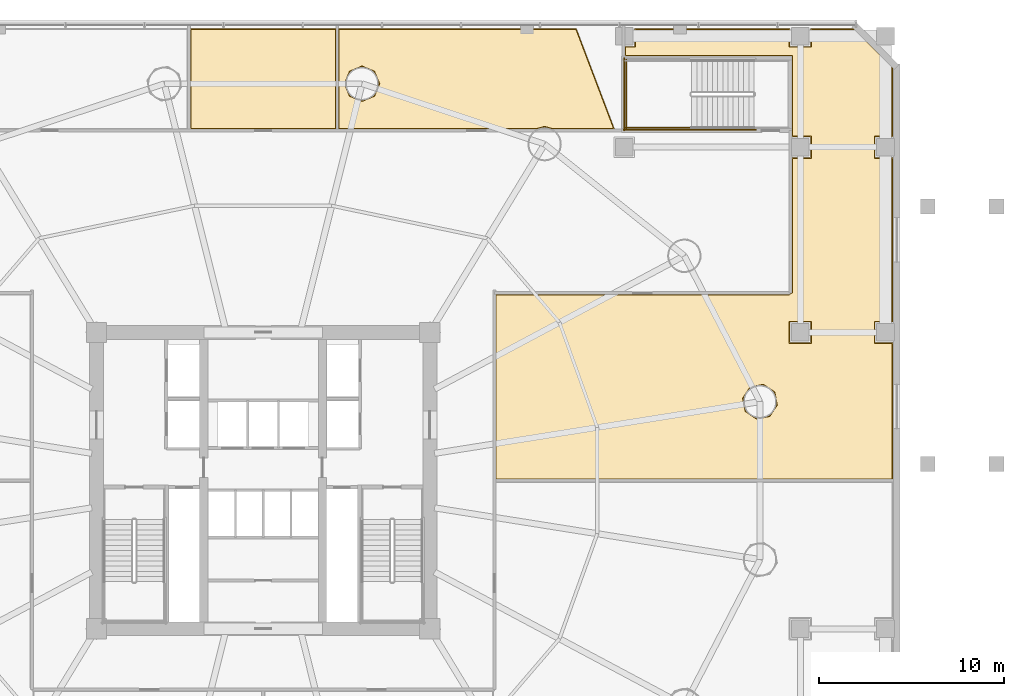
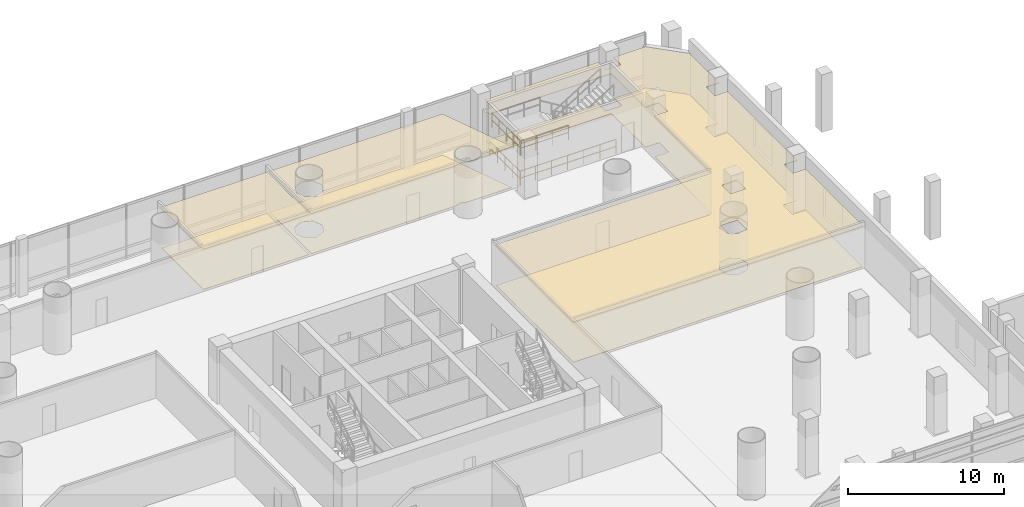
# One storey, part 32 of 36: 6 coverings, 4 railings.
"""IFC4 building model written with IfcOpenShell, lengths in metres."""

from ifc_helpers import new_model, si_unit, direction, frame, origin, origin_2d, place, context, subcontext, project, spatial, polyline, rectangle, outline, extrude, material, layer, layer_set, type_object, element, save


model = new_model("IFC4")

# Units and contexts
model_context = context("Model", 3, precision=1e-05, world=origin(), true_north=direction((-0.2419218956, 0.970295726276)))
body_context = subcontext(model_context, "Body", "Model", "MODEL_VIEW")
ifc_project = project(units=[si_unit("LENGTHUNIT", "METRE"), si_unit("AREAUNIT", "SQUARE_METRE"), si_unit("VOLUMEUNIT", "CUBIC_METRE"), si_unit("PLANEANGLEUNIT", "RADIAN"), si_unit("MASSUNIT", "GRAM", prefix="KILO")], contexts=[model_context])

# Site, building, storey
site_placement = place(None, origin())
site = spatial("IfcSite", under=ifc_project, at=site_placement, CompositionType="ELEMENT")
building_placement = place(site_placement, origin())
building = spatial("IfcBuilding", under=site, at=building_placement, Name="Cobrevalo Terracotta Tower", CompositionType="ELEMENT")
storey_placement = place(building_placement, frame((0.0, 0.0, 5.39990234375)))
storey = spatial("IfcBuildingStorey", under=building, at=storey_placement, Name="L01", CompositionType="ELEMENT", Elevation=5.39990234375)

# Coverings
ifc_material_1 = material(Name="Honed terracotta and granite tile", Category="masonry")
ifc_layer_1 = layer(ifc_material_1, 0.034912109375)
ifc_layer_set_1 = layer_set([ifc_layer_1], Name="Honed terracotta and granite tile")
covering_type_1 = type_object("IfcCoveringType", Name="Honed Terracotta & Granite Interior Flooring 35", PredefinedType="FLOORING", material=ifc_layer_set_1)
covering_1_placement = place(storey_placement, origin())
element("IfcCovering", 1, at=covering_1_placement, inside=storey, type_object=covering_type_1, Name="L01 Culinary Kitchen floor finish", PredefinedType="FLOORING", context=body_context, shape_type="SweptSolid", body=[
    extrude(outline(polyline([(50.580078125, 26.89990234375), (50.580078125, 36.820068359375), (66.40185546875, 36.820068359375), (66.572998046875, 36.947509765625), (66.578857421875, 44.199951171875), (67.60009765625, 44.199951171875), (67.60009765625, 45.39990234375), (66.579833984375, 45.39990234375), (66.570068359375, 49.739990234375), (57.550048828125, 49.739990234375), (57.550048828125, 50.199951171875), (58.10009765625, 50.199951171875), (58.10009765625, 51.159912109375), (66.39990234375, 51.159912109375), (66.39990234375, 50.199951171875), (67.60009765625, 50.199951171875), (67.60009765625, 51.159912109375), (69.921630859375, 51.159912109375), (71.9599609375, 49.121826171875), (71.9599609375, 45.39990234375), (71.0, 45.39990234375), (71.0, 44.199951171875), (71.9599609375, 44.199951171875), (71.9599609375, 35.39990234375), (71.0, 35.39990234375), (71.0, 34.199951171875), (71.9599609375, 34.199951171875), (71.9599609375, 26.89990234375), (50.580078125, 26.89990234375)]), holes=[polyline([(66.39990234375, 34.199951171875), (67.60009765625, 34.199951171875), (67.60009765625, 35.39990234375), (66.39990234375, 35.39990234375), (66.39990234375, 34.199951171875)]), polyline([(65.35791015625, 30.264404296875), (65.76611328125, 30.87548828125), (65.622802734375, 31.59619140625), (65.01171875, 32.00439453125), (64.291015625, 31.861083984375), (63.8828125, 31.25), (64.026123046875, 30.529296875), (64.63720703125, 30.12109375), (65.35791015625, 30.264404296875)])]), origin(), (0.0, 0.0, 1.0), 0.030029296875),
])
covering_2_placement = place(storey_placement, origin())
element("IfcCovering", 2, at=covering_2_placement, inside=storey, type_object=covering_type_1, Name="L01 Accessible Restroom WC floor finish", PredefinedType="FLOORING", context=body_context, shape_type="SweptSolid", body=[
    extrude(outline(polyline([(41.89990234375, 45.800048828125), (34.10009765625, 45.800048828125), (34.10009765625, 51.159912109375), (41.89990234375, 51.159912109375), (41.89990234375, 45.800048828125)])), origin(), (0.0, 0.0, 1.0), 0.030029296875),
])
covering_3_placement = place(storey_placement, origin())
element("IfcCovering", 3, at=covering_3_placement, inside=storey, type_object=covering_type_1, Name="L01 Podium Housekeeping Store floor finish", PredefinedType="FLOORING", context=body_context, shape_type="SweptSolid", body=[
    extrude(outline(polyline([(56.9208984375, 45.800048828125), (53.66455078125, 45.800048828125), (53.19482421875, 45.927734375), (52.725341796875, 45.800048828125), (42.10009765625, 45.800048828125), (42.10009765625, 51.159912109375), (54.88623046875, 51.159912109375), (56.9208984375, 45.800048828125)]), holes=[polyline([(44.0146484375, 47.55126953125), (44.2958984375, 48.230224609375), (44.0146484375, 48.908935546875), (43.335693359375, 49.190185546875), (42.65673828125, 48.908935546875), (42.375732421875, 48.230224609375), (42.65673828125, 47.55126953125), (43.335693359375, 47.27001953125), (44.0146484375, 47.55126953125)])]), origin(), (0.0, 0.0, 1.0), 0.030029296875),
])
ifc_material_2 = material(Name="Moisture-resistant mineral fibre ceiling", Category="gypsum")
ifc_layer_2 = layer(ifc_material_2, 0.0400390625)
ifc_layer_set_2 = layer_set([ifc_layer_2], Name="Moisture-resistant mineral fibre ceiling")
covering_type_2 = type_object("IfcCoveringType", Name="Moisture-Resistant Wet-Room Ceiling 40", PredefinedType="CEILING", material=ifc_layer_set_2)
covering_4_placement = place(storey_placement, frame((0.0, 0.0, 3.16015625)))
element("IfcCovering", 4, at=covering_4_placement, inside=storey, type_object=covering_type_2, Name="L01 Accessible Restroom WC acoustic ceiling", PredefinedType="CEILING", context=body_context, shape_type="SweptSolid", body=[
    extrude(outline(polyline([(41.945068359375, 45.7548828125), (34.054931640625, 45.7548828125), (34.054931640625, 51.205078125), (41.945068359375, 51.205078125), (41.945068359375, 45.7548828125)])), origin(), (0.0, 0.0, 1.0), 0.050048828125),
])
ifc_material_3 = material(Name="Acoustic perforated gypsum ceiling", Category="gypsum")
ifc_layer_3 = layer(ifc_material_3, 0.050048828125)
ifc_layer_set_3 = layer_set([ifc_layer_3], Name="Acoustic perforated gypsum ceiling")
covering_type_3 = type_object("IfcCoveringType", Name="Perforated Acoustic Gypsum Ceiling 50", PredefinedType="CEILING", material=ifc_layer_set_3)
covering_5_placement = place(storey_placement, frame((0.0, 0.0, 3.16015625)))
element("IfcCovering", 5, at=covering_5_placement, inside=storey, type_object=covering_type_3, Name="L01 Culinary Kitchen acoustic ceiling", PredefinedType="CEILING", context=body_context, shape_type="SweptSolid", body=[
    extrude(outline(polyline([(50.534912109375, 26.85498046875), (50.534912109375, 36.864990234375), (66.3974609375, 36.864990234375), (66.528076171875, 36.961181640625), (66.533935546875, 44.2451171875), (67.554931640625, 44.2451171875), (67.554931640625, 45.35498046875), (66.53466796875, 45.35498046875), (66.52490234375, 49.695068359375), (57.5048828125, 49.695068359375), (57.5048828125, 50.2451171875), (58.054931640625, 50.2451171875), (58.054931640625, 51.205078125), (66.445068359375, 51.205078125), (66.445068359375, 50.2451171875), (67.554931640625, 50.2451171875), (67.554931640625, 51.205078125), (69.9404296875, 51.205078125), (72.0048828125, 49.140380859375), (72.0048828125, 45.35498046875), (71.044921875, 45.35498046875), (71.044921875, 44.2451171875), (72.0048828125, 44.2451171875), (72.0048828125, 35.35498046875), (71.044921875, 35.35498046875), (71.044921875, 34.2451171875), (72.0048828125, 34.2451171875), (72.0048828125, 26.85498046875), (50.534912109375, 26.85498046875)]), holes=[polyline([(66.445068359375, 34.2451171875), (67.554931640625, 34.2451171875), (67.554931640625, 35.35498046875), (66.445068359375, 35.35498046875), (66.445068359375, 34.2451171875)]), polyline([(65.332763671875, 30.302001953125), (65.7216796875, 30.88427734375), (65.585205078125, 31.571044921875), (65.0029296875, 31.9599609375), (64.316162109375, 31.823486328125), (63.92724609375, 31.2412109375), (64.063720703125, 30.554443359375), (64.64599609375, 30.16552734375), (65.332763671875, 30.302001953125)])]), origin(), (0.0, 0.0, 1.0), 0.050048828125),
])
covering_6_placement = place(storey_placement, frame((0.0, 0.0, 3.16015625)))
element("IfcCovering", 6, at=covering_6_placement, inside=storey, type_object=covering_type_3, Name="L01 Podium Housekeeping Store acoustic ceiling", PredefinedType="CEILING", context=body_context, shape_type="SweptSolid", body=[
    extrude(outline(polyline([(56.986328125, 45.7548828125), (53.653076171875, 45.7548828125), (53.19482421875, 45.882568359375), (52.736572265625, 45.7548828125), (42.054931640625, 45.7548828125), (42.054931640625, 51.205078125), (54.917236328125, 51.205078125), (56.986328125, 45.7548828125)]), holes=[polyline([(43.982666015625, 47.583251953125), (44.25048828125, 48.230224609375), (43.982666015625, 48.877197265625), (43.335693359375, 49.14501953125), (42.688720703125, 48.877197265625), (42.4208984375, 48.230224609375), (42.688720703125, 47.583251953125), (43.335693359375, 47.315185546875), (43.982666015625, 47.583251953125)])]), origin(), (0.0, 0.0, 1.0), 0.050048828125),
])

# Railings
ifc_material_4 = material(Name="Painted galvanized steel", Category="steel")
railing_type = type_object("IfcRailingType", Name="Stair Well Guard Balustrade 1150", PredefinedType="GUARDRAIL", material=ifc_material_4)
railing_1_placement = place(storey_placement, frame((61.139892578125, 45.85009765625, 2.25)))
element("IfcRailing", 7, at=railing_1_placement, inside=storey, type_object=railing_type, Name="L01 ST-P2 stair guard 4", PredefinedType="GUARDRAIL", context=body_context, shape_type="SweptSolid", body=[
    extrude(rectangle(XDim=0.048095703125, YDim=0.048095703125, at=origin_2d()), frame((0.0, 0.0, 1.1259765625), z_axis=(-1.0, 0.0, 0.0), x_axis=(0.0, -1.0, 0.0)), (0.0, 0.0, 1.0), 3.58984375),
    extrude(rectangle(XDim=0.048095703125, YDim=0.048095703125, at=origin_2d()), frame((0.0, 0.0, 0.574951171875), z_axis=(-1.0, 0.0, 0.0), x_axis=(0.0, -1.0, 0.0)), (0.0, 0.0, 1.0), 3.58984375),
    extrude(rectangle(XDim=0.0419921875, YDim=0.0419921875, at=origin_2d()), origin(), (0.0, 0.0, 1.0), 1.101806640625),
    extrude(rectangle(XDim=0.0419921875, YDim=0.0419921875, at=origin_2d()), frame((-1.196533203125, 0.0, 0.0)), (0.0, 0.0, 1.0), 1.101806640625),
    extrude(rectangle(XDim=0.0419921875, YDim=0.0419921875, at=origin_2d()), frame((-2.393310546875, 0.0, 0.0)), (0.0, 0.0, 1.0), 1.101806640625),
    extrude(rectangle(XDim=0.0419921875, YDim=0.0419921875, at=origin_2d()), frame((-3.58984375, 0.0, 0.0)), (0.0, 0.0, 1.0), 1.101806640625),
])
railing_2_placement = place(storey_placement, frame((57.60009765625, 49.52001953125, 2.25)))
element("IfcRailing", 8, at=railing_2_placement, inside=storey, type_object=railing_type, Name="L01 ST-P2 stair guard 5", PredefinedType="GUARDRAIL", context=body_context, shape_type="SweptSolid", body=[
    extrude(rectangle(XDim=0.048095703125, YDim=0.048095703125, at=origin_2d()), frame((0.0, 0.0, 1.1259765625), z_axis=(0.0, -1.0, 0.0), x_axis=(1.0, 0.0, 0.0)), (0.0, 0.0, 1.0), 3.719970703125),
    extrude(rectangle(XDim=0.048095703125, YDim=0.048095703125, at=origin_2d()), frame((0.0, 0.0, 0.574951171875), z_axis=(0.0, -1.0, 0.0), x_axis=(1.0, 0.0, 0.0)), (0.0, 0.0, 1.0), 3.719970703125),
    extrude(rectangle(XDim=0.0419921875, YDim=0.0419921875, at=origin_2d()), origin(), (0.0, 0.0, 1.0), 1.101806640625),
    extrude(rectangle(XDim=0.0419921875, YDim=0.0419921875, at=origin_2d()), frame((0.0, -0.929931640625, 0.0)), (0.0, 0.0, 1.0), 1.101806640625),
    extrude(rectangle(XDim=0.0419921875, YDim=0.0419921875, at=origin_2d()), frame((0.0, -1.85986328125, 0.0)), (0.0, 0.0, 1.0), 1.101806640625),
    extrude(rectangle(XDim=0.0419921875, YDim=0.0419921875, at=origin_2d()), frame((0.0, -2.7900390625, 0.0)), (0.0, 0.0, 1.0), 1.101806640625),
    extrude(rectangle(XDim=0.0419921875, YDim=0.0419921875, at=origin_2d()), frame((0.0, -3.719970703125, 0.0)), (0.0, 0.0, 1.0), 1.101806640625),
])
railing_3_placement = place(storey_placement, frame((64.60009765625, 45.75, 0.0)))
element("IfcRailing", 9, at=railing_3_placement, inside=storey, type_object=railing_type, Name="L01 ST-P2 stair guard 11", PredefinedType="GUARDRAIL", context=body_context, shape_type="SweptSolid", body=[
    extrude(rectangle(XDim=0.048095703125, YDim=0.048095703125, at=origin_2d()), frame((0.0, 0.0, 1.1259765625), z_axis=(-1.0, 0.0, 0.0), x_axis=(0.0, -1.0, 0.0)), (0.0, 0.0, 1.0), 7.150146484375),
    extrude(rectangle(XDim=0.048095703125, YDim=0.048095703125, at=origin_2d()), frame((0.0, 0.0, 0.574951171875), z_axis=(-1.0, 0.0, 0.0), x_axis=(0.0, -1.0, 0.0)), (0.0, 0.0, 1.0), 7.150146484375),
    extrude(rectangle(XDim=0.0419921875, YDim=0.0419921875, at=origin_2d()), origin(), (0.0, 0.0, 1.0), 1.101806640625),
    extrude(rectangle(XDim=0.0419921875, YDim=0.0419921875, at=origin_2d()), frame((-1.191650390625, 0.0, 0.0)), (0.0, 0.0, 1.0), 1.101806640625),
    extrude(rectangle(XDim=0.0419921875, YDim=0.0419921875, at=origin_2d()), frame((-2.38330078125, 0.0, 0.0)), (0.0, 0.0, 1.0), 1.101806640625),
    extrude(rectangle(XDim=0.0419921875, YDim=0.0419921875, at=origin_2d()), frame((-3.5751953125, 0.0, 0.0)), (0.0, 0.0, 1.0), 1.101806640625),
    extrude(rectangle(XDim=0.0419921875, YDim=0.0419921875, at=origin_2d()), frame((-4.766845703125, 0.0, 0.0)), (0.0, 0.0, 1.0), 1.101806640625),
    extrude(rectangle(XDim=0.0419921875, YDim=0.0419921875, at=origin_2d()), frame((-5.95849609375, 0.0, 0.0)), (0.0, 0.0, 1.0), 1.101806640625),
    extrude(rectangle(XDim=0.0419921875, YDim=0.0419921875, at=origin_2d()), frame((-7.150146484375, 0.0, 0.0)), (0.0, 0.0, 1.0), 1.101806640625),
])
railing_4_placement = place(storey_placement, frame((57.5, 49.6201171875, 0.0)))
element("IfcRailing", 10, at=railing_4_placement, inside=storey, type_object=railing_type, Name="L01 ST-P2 stair guard 12", PredefinedType="GUARDRAIL", context=body_context, shape_type="SweptSolid", body=[
    extrude(rectangle(XDim=0.048095703125, YDim=0.048095703125, at=origin_2d()), frame((0.0, 0.0, 1.1259765625), z_axis=(0.0, -1.0, 0.0), x_axis=(1.0, 0.0, 0.0)), (0.0, 0.0, 1.0), 3.920166015625),
    extrude(rectangle(XDim=0.048095703125, YDim=0.048095703125, at=origin_2d()), frame((0.0, 0.0, 0.574951171875), z_axis=(0.0, -1.0, 0.0), x_axis=(1.0, 0.0, 0.0)), (0.0, 0.0, 1.0), 3.920166015625),
    extrude(rectangle(XDim=0.0419921875, YDim=0.0419921875, at=origin_2d()), origin(), (0.0, 0.0, 1.0), 1.101806640625),
    extrude(rectangle(XDim=0.0419921875, YDim=0.0419921875, at=origin_2d()), frame((0.0, -0.97998046875, 0.0)), (0.0, 0.0, 1.0), 1.101806640625),
    extrude(rectangle(XDim=0.0419921875, YDim=0.0419921875, at=origin_2d()), frame((0.0, -1.9599609375, 0.0)), (0.0, 0.0, 1.0), 1.101806640625),
    extrude(rectangle(XDim=0.0419921875, YDim=0.0419921875, at=origin_2d()), frame((0.0, -2.940185546875, 0.0)), (0.0, 0.0, 1.0), 1.101806640625),
    extrude(rectangle(XDim=0.0419921875, YDim=0.0419921875, at=origin_2d()), frame((0.0, -3.920166015625, 0.0)), (0.0, 0.0, 1.0), 1.101806640625),
])

save(model, "model.ifc")
